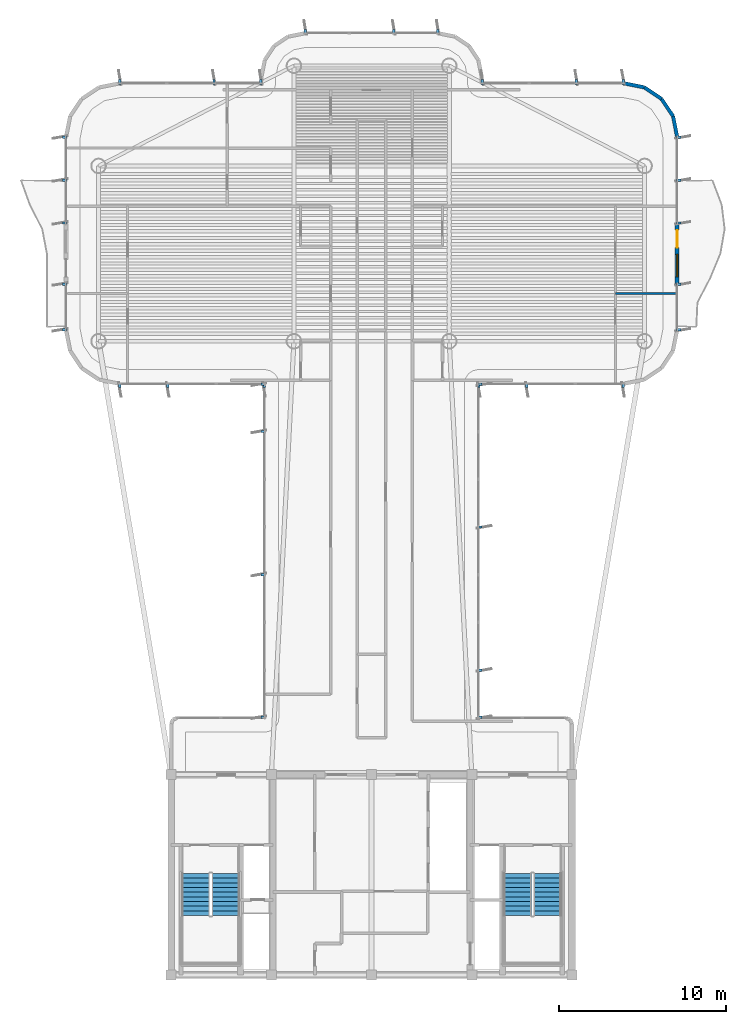
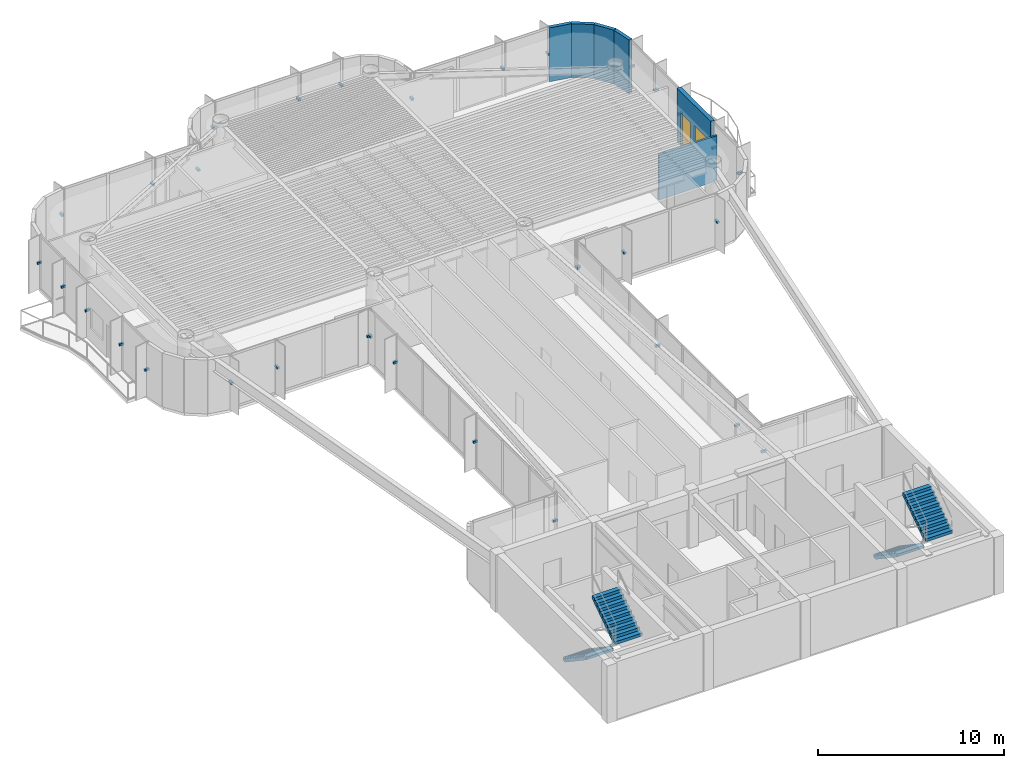
# One storey, part 13 of 15: 33 discrete accessories, 6 walls, 4 stair flights, 1 door, 1 window, 2 openings, 2 elements without a shape of their own.
"""IFC4 building model written with IfcOpenShell, lengths in metres."""

from ifc_helpers import new_model, si_unit, direction, frame, frame_2d, origin, origin_2d, place, context, subcontext, project, spatial, polyline, rectangle, outline, extrude, source, transform, mapped, material, layer, layer_set, type_object, element, fill, aggregate, save


model = new_model("IFC4")

# Units and contexts
model_context = context("Model", 3, precision=1e-05, world=origin(), true_north=direction((0.0, 1.0)))
body_context = subcontext(model_context, "Body", "Model", "MODEL_VIEW")
ifc_project = project(units=[si_unit("LENGTHUNIT", "METRE"), si_unit("AREAUNIT", "SQUARE_METRE"), si_unit("VOLUMEUNIT", "CUBIC_METRE"), si_unit("PLANEANGLEUNIT", "RADIAN"), si_unit("MASSUNIT", "GRAM", prefix="KILO")], contexts=[model_context])

# Site, building, storey
site_placement = place(None, origin())
site = spatial("IfcSite", under=ifc_project, at=site_placement, CompositionType="ELEMENT")
building_placement = place(site_placement, origin())
building = spatial("IfcBuilding", under=site, at=building_placement, Name="Brelvock Crest Care Tower", CompositionType="ELEMENT")
storey_placement = place(building_placement, frame((0.0, 0.0, 275.93994140625)))
storey = spatial("IfcBuildingStorey", under=building, at=storey_placement, Name="L70", CompositionType="ELEMENT", Elevation=275.93994140625)

# Wall, openings, door, window
ifc_material_1 = material(Name="Precast concrete N40 (40 MPa)", Category="concrete")
ifc_layer_1 = layer(ifc_material_1, 0.239990234375, Name="WL-EX1")
ifc_layer_set_1 = layer_set([ifc_layer_1], Name="Precast concrete N40 (40 MPa)")
wall_type_1 = type_object("IfcWallType", Name="WL-EX1", PredefinedType="SOLIDWALL", material=ifc_layer_set_1)
wall_1_placement = place(storey_placement, frame((54.300048828125, 51.0, 0.0), z_axis=(0.0, 0.0, 1.0), x_axis=(0.0, -1.0, 0.0)))
wall_1 = element("IfcWall", 1, at=wall_1_placement, inside=storey, type_object=wall_type_1, Name="L70 Exterior Spandrel Wall WL-BAL-L70-E", PredefinedType="SOLIDWALL", context=body_context, shape_type="SweptSolid", body=[
    extrude(rectangle(XDim=3.60009765625, YDim=0.239990234375, at=frame_2d((1.800048828125, 0.0))), origin(), (0.0, 0.0, 1.0), 3.530029296875),
])
opening_1_placement = place(wall_1_placement, frame((0.39990234375, 0.0, 0.0)))
opening_1 = element("IfcOpeningElement", 2, at=opening_1_placement, cuts=wall_1, Name="Opening BD-1", PredefinedType="OPENING", context=body_context, shape_type="SweptSolid", body=[
    extrude(rectangle(XDim=1.050048828125, YDim=2.14990234375, at=origin_2d()), frame((0.52490234375, 0.1298828125, 1.074951171875), z_axis=(0.0, -1.0, 0.0), x_axis=(1.0, 0.0, 0.0)), (0.0, 0.0, 1.0), 0.260009765625),
])
opening_2_placement = place(wall_1_placement, frame((1.85009765625, 0.0, 0.85009765625)))
opening_2 = element("IfcOpeningElement", 3, at=opening_2_placement, cuts=wall_1, Name="Opening W-01", PredefinedType="OPENING", context=body_context, shape_type="SweptSolid", body=[
    extrude(rectangle(XDim=1.35009765625, YDim=1.35009765625, at=origin_2d()), frame((0.675048828125, 0.1298828125, 0.675048828125), z_axis=(0.0, -1.0, 0.0), x_axis=(1.0, 0.0, 0.0)), (0.0, 0.0, 1.0), 0.260009765625),
])
ifc_material_2 = material(Name="Dark Glass Double Glazed Low-E", Category="glass")
door_type = type_object("IfcDoorType", Name="DR-BAL1", OperationType="NOTDEFINED", PredefinedType="DOOR", material=ifc_material_2)
shared_shape_1 = source(origin(), body_context, "Body", "SweptSolid", [
    extrude(rectangle(XDim=1.050048828125, YDim=2.14990234375, at=origin_2d()), frame((0.52490234375, 0.02490234375, 1.074951171875), z_axis=(0.0, -1.0, 0.0), x_axis=(1.0, 0.0, 0.0)), (0.0, 0.0, 1.0), 0.050048828125),
])
door_placement = place(opening_1_placement, origin())
door = element("IfcDoor", 4, at=door_placement, inside=storey, type_object=door_type, Name="L70 E Wave Balcony Glazed Door", OperationType="SINGLE_SWING_RIGHT", OverallHeight=2.14990234375, OverallWidth=1.050048828125, PredefinedType="DOOR", context=body_context, shape_type="MappedRepresentation", body=[
    mapped(shared_shape_1, transform((0.0, 0.0, 0.0), x_axis=(1.0, 0.0, 0.0), y_axis=(0.0, 1.0, 0.0), z_axis=(0.0, 0.0, 1.0), scale=1.0)),
])
fill(opening_1, door)
window_type = type_object("IfcWindowType", Name="WN-EX1", PartitioningType="SINGLE_PANEL", PredefinedType="WINDOW", material=ifc_material_2)
shared_shape_2 = source(origin(), body_context, "Body", "SweptSolid", [
    extrude(rectangle(XDim=1.35009765625, YDim=1.35009765625, at=origin_2d()), frame((0.675048828125, 0.030029296875, 0.675048828125), z_axis=(0.0, -1.0, 0.0), x_axis=(1.0, 0.0, 0.0)), (0.0, 0.0, 1.0), 0.06005859375),
])
window_placement = place(opening_2_placement, origin())
window = element("IfcWindow", 5, at=window_placement, inside=storey, type_object=window_type, Name="L70 E Suite Casement Window", OverallHeight=1.35009765625, OverallWidth=1.35009765625, PartitioningType="SINGLE_PANEL", PredefinedType="WINDOW", context=body_context, shape_type="MappedRepresentation", body=[
    mapped(shared_shape_2, transform((0.0, 0.0, 0.0), x_axis=(1.0, 0.0, 0.0), y_axis=(0.0, 1.0, 0.0), z_axis=(0.0, 0.0, 1.0), scale=1.0)),
])
fill(opening_2, window)

# Walls
ifc_layer_2 = layer(ifc_material_1, 0.215087890625, Name="WL-EX2")
ifc_layer_set_2 = layer_set([ifc_layer_2], Name="Precast concrete N40 (40 MPa)")
wall_type_2 = type_object("IfcWallType", Name="WL-EX2", PredefinedType="SOLIDWALL", material=ifc_layer_set_2)
for number, where, z_axis, x_axis, name in (
    (6, (51.10009765625, 59.39990234375, 0.0), (0.0, 0.0, 1.0), (0.980813122964, -0.194950295773, 0.0), "L70 Rounded Corner Wall 35"),
    (7, (52.32470703125, 59.156494140625, 0.0), (0.0, 0.0, 1.0), (0.831387912822, -0.555692485475, 0.0), "L70 Rounded Corner Wall 36"),
    (8, (53.36279296875, 58.462646484375, 0.0), (0.0, 0.0, 1.0), (0.555557312883, -0.831478245117, 0.0), "L70 Rounded Corner Wall 37"),
    (9, (54.056396484375, 57.424560546875, 0.0), (0.0, 0.0, 1.0), (0.195138390419, -0.980775717779, 0.0), "L70 Rounded Corner Wall 38"),
):
    element("IfcWall", number, at=place(storey_placement, frame(where, z_axis=z_axis, x_axis=x_axis)), inside=storey, type_object=wall_type_2, Name=name, PredefinedType="SOLIDWALL", context=body_context, shape_type="SweptSolid", body=[
        extrude(rectangle(XDim=1.24853515625, YDim=0.215087890625, at=frame_2d((0.624267578125, 0.0))), origin(), (0.0, 0.0, 1.0), 3.530029296875),
    ])
ifc_material_3 = material(Name="Gypsum Plasterboard Partition", Category="gypsum")
ifc_layer_3 = layer(ifc_material_3, 0.1201171875, Name="WL-INT2")
ifc_layer_set_3 = layer_set([ifc_layer_3], Name="Gypsum Plasterboard Partition")
wall_type_3 = type_object("IfcWallType", Name="WL-INT2", PredefinedType="PARTITIONING", material=ifc_layer_set_3)
wall_2_placement = place(storey_placement, frame((50.610107421875, 46.820068359375, 0.0), z_axis=(0.0, 0.0, 1.0), x_axis=(1.0, 0.0, 0.0)))
element("IfcWall", 10, at=wall_2_placement, inside=storey, type_object=wall_type_3, Name="L70 Interior Wall WL-UBSP-L70-EF1", PredefinedType="PARTITIONING", context=body_context, shape_type="SweptSolid", body=[
    extrude(rectangle(XDim=3.60986328125, YDim=0.1201171875, at=frame_2d((1.804931640625, 0.0))), origin(), (0.0, 0.0, 1.0), 2.982177734375),
])

# Stair, stair flights
ifc_material_4 = material(Name="Concrete N40 (40 MPa)", Category="concrete")
stair_type = type_object("IfcStairType", Name="ST-CORE1", PredefinedType="HALF_TURN_STAIR", material=ifc_material_4)
stair_1_placement = place(storey_placement, origin())
stair_1 = element("IfcStair", 11, at=stair_1_placement, inside=storey, type_object=stair_type, Name="L70 Fire-Isolated Core Stair ST-1", PredefinedType="HALF_TURN_STAIR")
stair_flight_type = type_object("IfcStairFlightType", Name="STF-1", PredefinedType="STRAIGHT", material=ifc_material_4)
stair_flight_1_placement = place(storey_placement, frame((25.469970703125, 12.080078125, 0.0), z_axis=(0.0, 0.0, 1.0), x_axis=(0.0, -1.0, 0.0)))
stair_flight_1 = element("IfcStairFlight", 12, at=stair_flight_1_placement, type_object=stair_flight_type, Name="ST-1 flight 1", NumberOfRisers=10, NumberOfTreads=9, PredefinedType="STRAIGHT", RiserHeight=0.189, TreadLength=0.28, context=body_context, shape_type="SweptSolid", body=[
    extrude(outline(polyline([(-0.00390625, -0.014892578125), (-0.00390625, -0.0078125), (-0.00390625, -0.00048828125), (-0.00390625, 0.0068359375), (-0.00390625, 0.01416015625), (-0.00390625, 0.021484375), (-0.00390625, 0.02880859375), (-0.00390625, 0.035888671875), (-0.00390625, 0.043212890625), (-0.00390625, 0.050537109375), (-0.00390625, 0.057861328125), (-0.00390625, 0.065185546875), (-0.00390625, 0.072509765625), (-0.00390625, 0.07958984375), (-0.00390625, 0.0869140625), (-0.00390625, 0.09423828125), (-0.00390625, 0.1015625), (-0.00390625, 0.10888671875), (-0.00390625, 0.1162109375), (-0.00390625, 0.12353515625), (-0.00390625, 0.130615234375), (-0.00390625, 0.137939453125), (-0.00390625, 0.145263671875), (-0.00390625, 0.152587890625), (-0.00390625, 0.159912109375), (-0.00390625, 0.167236328125), (-0.00390625, 0.17431640625), (-0.00390625, 0.181640625), (-0.00390625, 0.18896484375), (0.0, 0.18896484375), (0.280029296875, 0.18896484375), (0.280029296875, 0.3779296875), (0.56005859375, 0.3779296875), (0.56005859375, 0.56689453125), (0.840087890625, 0.56689453125), (0.840087890625, 0.756103515625), (1.1201171875, 0.756103515625), (1.1201171875, 0.945068359375), (1.39990234375, 0.945068359375), (1.39990234375, 1.134033203125), (1.679931640625, 1.134033203125), (1.679931640625, 1.322998046875), (1.9599609375, 1.322998046875), (1.9599609375, 1.511962890625), (2.239990234375, 1.511962890625), (2.239990234375, 1.700927734375), (2.52001953125, 1.700927734375), (2.52392578125, 1.700927734375), (2.523681640625, 1.70068359375), (2.52392578125, 1.700439453125), (2.523681640625, 1.699951171875), (2.52392578125, 1.69970703125), (2.523681640625, 1.699462890625), (2.52392578125, 1.698974609375), (2.523681640625, 1.69873046875), (2.52392578125, 1.698486328125), (2.523681640625, 1.697998046875), (2.52392578125, 1.69775390625), (2.523681640625, 1.697509765625), (2.52392578125, 1.697021484375), (2.523681640625, 1.69677734375), (2.52392578125, 1.696533203125), (2.523681640625, 1.6962890625), (2.52392578125, 1.69580078125), (2.523681640625, 1.695556640625), (2.52392578125, 1.6953125), (2.523681640625, 1.69482421875), (2.52392578125, 1.694580078125), (2.523681640625, 1.6943359375), (2.52392578125, 1.69384765625), (2.523681640625, 1.693603515625), (2.52392578125, 1.693359375), (2.523681640625, 1.69287109375), (2.52392578125, 1.692626953125), (2.523681640625, 1.6923828125), (2.52392578125, 1.69189453125), (2.52001953125, 1.520263671875), (0.267822265625, 0.0), (0.0, 0.0), (0.0, -0.014892578125), (-0.00390625, -0.014892578125)])), frame((0.0, 0.83984375, 0.0), z_axis=(0.0, -1.0, 0.0), x_axis=(1.0, 0.0, 0.0)), (0.0, 0.0, 1.0), 1.679931640625),
])
stair_flight_2_placement = place(storey_placement, frame((27.27001953125, 9.56005859375, 1.89013671875), z_axis=(0.0, 0.0, 1.0), x_axis=(0.0, 1.0, 0.0)))
stair_flight_2 = element("IfcStairFlight", 13, at=stair_flight_2_placement, type_object=stair_flight_type, Name="ST-1 flight 2", NumberOfRisers=10, NumberOfTreads=9, PredefinedType="STRAIGHT", RiserHeight=0.189, TreadLength=0.28, context=body_context, shape_type="SweptSolid", body=[
    extrude(outline(polyline([(-0.00390625, -0.014892578125), (-0.00390625, -0.0078125), (-0.00390625, -0.00048828125), (-0.00390625, 0.0068359375), (-0.00390625, 0.01416015625), (-0.00390625, 0.021484375), (-0.00390625, 0.02880859375), (-0.00390625, 0.035888671875), (-0.00390625, 0.043212890625), (-0.00390625, 0.050537109375), (-0.00390625, 0.057861328125), (-0.00390625, 0.065185546875), (-0.00390625, 0.072509765625), (-0.00390625, 0.07958984375), (-0.00390625, 0.0869140625), (-0.00390625, 0.09423828125), (-0.00390625, 0.1015625), (-0.00390625, 0.10888671875), (-0.00390625, 0.1162109375), (-0.00390625, 0.12353515625), (-0.00390625, 0.130615234375), (-0.00390625, 0.137939453125), (-0.00390625, 0.145263671875), (-0.00390625, 0.152587890625), (-0.00390625, 0.159912109375), (-0.00390625, 0.167236328125), (-0.00390625, 0.17431640625), (-0.00390625, 0.181640625), (-0.00390625, 0.18896484375), (0.0, 0.18896484375), (0.280029296875, 0.18896484375), (0.280029296875, 0.3779296875), (0.56005859375, 0.3779296875), (0.56005859375, 0.56689453125), (0.840087890625, 0.56689453125), (0.840087890625, 0.756103515625), (1.1201171875, 0.756103515625), (1.1201171875, 0.945068359375), (1.39990234375, 0.945068359375), (1.39990234375, 1.134033203125), (1.679931640625, 1.134033203125), (1.679931640625, 1.322998046875), (1.9599609375, 1.322998046875), (1.9599609375, 1.511962890625), (2.239990234375, 1.511962890625), (2.239990234375, 1.700927734375), (2.52001953125, 1.700927734375), (2.52392578125, 1.700927734375), (2.523681640625, 1.70068359375), (2.52392578125, 1.700439453125), (2.523681640625, 1.699951171875), (2.52392578125, 1.69970703125), (2.523681640625, 1.699462890625), (2.52392578125, 1.698974609375), (2.523681640625, 1.69873046875), (2.52392578125, 1.698486328125), (2.523681640625, 1.697998046875), (2.52392578125, 1.69775390625), (2.523681640625, 1.697509765625), (2.52392578125, 1.697021484375), (2.523681640625, 1.69677734375), (2.52392578125, 1.696533203125), (2.523681640625, 1.6962890625), (2.52392578125, 1.69580078125), (2.523681640625, 1.695556640625), (2.52392578125, 1.6953125), (2.523681640625, 1.69482421875), (2.52392578125, 1.694580078125), (2.523681640625, 1.6943359375), (2.52392578125, 1.69384765625), (2.523681640625, 1.693603515625), (2.52392578125, 1.693359375), (2.523681640625, 1.69287109375), (2.52392578125, 1.692626953125), (2.523681640625, 1.6923828125), (2.52392578125, 1.69189453125), (2.52001953125, 1.520263671875), (0.267822265625, 0.0), (0.0, 0.0), (0.0, -0.014892578125), (-0.00390625, -0.014892578125)])), frame((0.0, 0.83984375, 0.0), z_axis=(0.0, -1.0, 0.0), x_axis=(1.0, 0.0, 0.0)), (0.0, 0.0, 1.0), 1.679931640625),
])
aggregate(stair_1, [stair_flight_1, stair_flight_2])

stair_2_placement = place(storey_placement, origin())
stair_2 = element("IfcStair", 14, at=stair_2_placement, inside=storey, type_object=stair_type, Name="L70 Fire-Isolated Core Stair ST-2", PredefinedType="HALF_TURN_STAIR")
stair_flight_3_placement = place(storey_placement, frame((44.72998046875, 12.080078125, 0.0), z_axis=(0.0, 0.0, 1.0), x_axis=(0.0, -1.0, 0.0)))
stair_flight_3 = element("IfcStairFlight", 15, at=stair_flight_3_placement, type_object=stair_flight_type, Name="ST-2 flight 1", NumberOfRisers=10, NumberOfTreads=9, PredefinedType="STRAIGHT", RiserHeight=0.189, TreadLength=0.28, context=body_context, shape_type="SweptSolid", body=[
    extrude(outline(polyline([(-0.00390625, -0.014892578125), (-0.00390625, -0.0078125), (-0.00390625, -0.00048828125), (-0.00390625, 0.0068359375), (-0.00390625, 0.01416015625), (-0.00390625, 0.021484375), (-0.00390625, 0.02880859375), (-0.00390625, 0.035888671875), (-0.00390625, 0.043212890625), (-0.00390625, 0.050537109375), (-0.00390625, 0.057861328125), (-0.00390625, 0.065185546875), (-0.00390625, 0.072509765625), (-0.00390625, 0.07958984375), (-0.00390625, 0.0869140625), (-0.00390625, 0.09423828125), (-0.00390625, 0.1015625), (-0.00390625, 0.10888671875), (-0.00390625, 0.1162109375), (-0.00390625, 0.12353515625), (-0.00390625, 0.130615234375), (-0.00390625, 0.137939453125), (-0.00390625, 0.145263671875), (-0.00390625, 0.152587890625), (-0.00390625, 0.159912109375), (-0.00390625, 0.167236328125), (-0.00390625, 0.17431640625), (-0.00390625, 0.181640625), (-0.00390625, 0.18896484375), (0.0, 0.18896484375), (0.280029296875, 0.18896484375), (0.280029296875, 0.3779296875), (0.56005859375, 0.3779296875), (0.56005859375, 0.56689453125), (0.840087890625, 0.56689453125), (0.840087890625, 0.756103515625), (1.1201171875, 0.756103515625), (1.1201171875, 0.945068359375), (1.39990234375, 0.945068359375), (1.39990234375, 1.134033203125), (1.679931640625, 1.134033203125), (1.679931640625, 1.322998046875), (1.9599609375, 1.322998046875), (1.9599609375, 1.511962890625), (2.239990234375, 1.511962890625), (2.239990234375, 1.700927734375), (2.52001953125, 1.700927734375), (2.52392578125, 1.700927734375), (2.523681640625, 1.70068359375), (2.52392578125, 1.700439453125), (2.523681640625, 1.699951171875), (2.52392578125, 1.69970703125), (2.523681640625, 1.699462890625), (2.52392578125, 1.698974609375), (2.523681640625, 1.69873046875), (2.52392578125, 1.698486328125), (2.523681640625, 1.697998046875), (2.52392578125, 1.69775390625), (2.523681640625, 1.697509765625), (2.52392578125, 1.697021484375), (2.523681640625, 1.69677734375), (2.52392578125, 1.696533203125), (2.523681640625, 1.6962890625), (2.52392578125, 1.69580078125), (2.523681640625, 1.695556640625), (2.52392578125, 1.6953125), (2.523681640625, 1.69482421875), (2.52392578125, 1.694580078125), (2.523681640625, 1.6943359375), (2.52392578125, 1.69384765625), (2.523681640625, 1.693603515625), (2.52392578125, 1.693359375), (2.523681640625, 1.69287109375), (2.52392578125, 1.692626953125), (2.523681640625, 1.6923828125), (2.52392578125, 1.69189453125), (2.52001953125, 1.520263671875), (0.267822265625, 0.0), (0.0, 0.0), (0.0, -0.014892578125), (-0.00390625, -0.014892578125)])), frame((0.0, 0.83984375, 0.0), z_axis=(0.0, -1.0, 0.0), x_axis=(1.0, 0.0, 0.0)), (0.0, 0.0, 1.0), 1.679931640625),
])
stair_flight_4_placement = place(storey_placement, frame((46.530029296875, 9.56005859375, 1.89013671875), z_axis=(0.0, 0.0, 1.0), x_axis=(0.0, 1.0, 0.0)))
stair_flight_4 = element("IfcStairFlight", 16, at=stair_flight_4_placement, type_object=stair_flight_type, Name="ST-2 flight 2", NumberOfRisers=10, NumberOfTreads=9, PredefinedType="STRAIGHT", RiserHeight=0.189, TreadLength=0.28, context=body_context, shape_type="SweptSolid", body=[
    extrude(outline(polyline([(-0.00390625, -0.014892578125), (-0.00390625, -0.0078125), (-0.00390625, -0.00048828125), (-0.00390625, 0.0068359375), (-0.00390625, 0.01416015625), (-0.00390625, 0.021484375), (-0.00390625, 0.02880859375), (-0.00390625, 0.035888671875), (-0.00390625, 0.043212890625), (-0.00390625, 0.050537109375), (-0.00390625, 0.057861328125), (-0.00390625, 0.065185546875), (-0.00390625, 0.072509765625), (-0.00390625, 0.07958984375), (-0.00390625, 0.0869140625), (-0.00390625, 0.09423828125), (-0.00390625, 0.1015625), (-0.00390625, 0.10888671875), (-0.00390625, 0.1162109375), (-0.00390625, 0.12353515625), (-0.00390625, 0.130615234375), (-0.00390625, 0.137939453125), (-0.00390625, 0.145263671875), (-0.00390625, 0.152587890625), (-0.00390625, 0.159912109375), (-0.00390625, 0.167236328125), (-0.00390625, 0.17431640625), (-0.00390625, 0.181640625), (-0.00390625, 0.18896484375), (0.0, 0.18896484375), (0.280029296875, 0.18896484375), (0.280029296875, 0.3779296875), (0.56005859375, 0.3779296875), (0.56005859375, 0.56689453125), (0.840087890625, 0.56689453125), (0.840087890625, 0.756103515625), (1.1201171875, 0.756103515625), (1.1201171875, 0.945068359375), (1.39990234375, 0.945068359375), (1.39990234375, 1.134033203125), (1.679931640625, 1.134033203125), (1.679931640625, 1.322998046875), (1.9599609375, 1.322998046875), (1.9599609375, 1.511962890625), (2.239990234375, 1.511962890625), (2.239990234375, 1.700927734375), (2.52001953125, 1.700927734375), (2.52392578125, 1.700927734375), (2.523681640625, 1.70068359375), (2.52392578125, 1.700439453125), (2.523681640625, 1.699951171875), (2.52392578125, 1.69970703125), (2.523681640625, 1.699462890625), (2.52392578125, 1.698974609375), (2.523681640625, 1.69873046875), (2.52392578125, 1.698486328125), (2.523681640625, 1.697998046875), (2.52392578125, 1.69775390625), (2.523681640625, 1.697509765625), (2.52392578125, 1.697021484375), (2.523681640625, 1.69677734375), (2.52392578125, 1.696533203125), (2.523681640625, 1.6962890625), (2.52392578125, 1.69580078125), (2.523681640625, 1.695556640625), (2.52392578125, 1.6953125), (2.523681640625, 1.69482421875), (2.52392578125, 1.694580078125), (2.523681640625, 1.6943359375), (2.52392578125, 1.69384765625), (2.523681640625, 1.693603515625), (2.52392578125, 1.693359375), (2.523681640625, 1.69287109375), (2.52392578125, 1.692626953125), (2.523681640625, 1.6923828125), (2.52392578125, 1.69189453125), (2.52001953125, 1.520263671875), (0.267822265625, 0.0), (0.0, 0.0), (0.0, -0.014892578125), (-0.00390625, -0.014892578125)])), frame((0.0, 0.83984375, 0.0), z_axis=(0.0, -1.0, 0.0), x_axis=(1.0, 0.0, 0.0)), (0.0, 0.0, 1.0), 1.679931640625),
])
aggregate(stair_2, [stair_flight_3, stair_flight_4])

# Discrete accessories
ifc_material_5 = material(Name="Steel Grade 350", Category="steel")
discrete_accessory_type = type_object("IfcDiscreteAccessoryType", Name="ACC-BRK1", PredefinedType="BRACKET", material=ifc_material_5)
shared_shape_3 = source(origin(), body_context, "Body", "SweptSolid", [
    extrude(rectangle(XDim=0.280029296875, YDim=0.139892578125, at=origin_2d()), origin(), (0.0, 0.0, 1.0), 0.139892578125),
])
for number, where, z_axis, x_axis, name in (
    (17, (29.52001953125, 21.429931640625, 1.6953125), (0.0, 0.0, 1.0), (-1.0, 0.0, 0.0), "L70 Facade Fin Bracket E11-01"),
    (18, (29.52001953125, 29.971435546875, 1.6953125), (0.0, 0.0, 1.0), (-1.0, 0.0, 0.0), "L70 Facade Fin Bracket E11-04"),
    (19, (29.52001953125, 38.54296875, 1.6953125), (0.0, 0.0, 1.0), (-1.0, 0.0, 0.0), "L70 Facade Fin Bracket E11-07"),
    (20, (29.52001953125, 41.3701171875, 1.6953125), (0.0, 0.0, 1.0), (-1.0, 0.0, 0.0), "L70 Facade Fin Bracket E11-08"),
    (21, (29.570068359375, 41.320068359375, 1.6953125), (0.0, 0.0, 1.0), (0.0, -1.0, 0.0), "L70 Facade Fin Bracket E12-01"),
    (22, (23.800048828125, 41.320068359375, 1.6953125), (0.0, 0.0, 1.0), (0.0, -1.0, 0.0), "L70 Facade Fin Bracket E12-03"),
    (23, (20.929931640625, 41.320068359375, 1.6953125), (0.0, 0.0, 1.0), (0.0, -1.0, 0.0), "L70 Facade Fin Bracket E12-04"),
    (24, (17.6201171875, 44.6298828125, 1.6953125), (0.0, 0.0, 1.0), (-1.0, 0.0, 0.0), "L70 Facade Fin Bracket E17A-01"),
    (25, (17.6201171875, 47.3701171875, 1.6953125), (0.0, 0.0, 1.0), (-1.0, 0.0, 0.0), "L70 Facade Fin Bracket E17A-02"),
    (26, (17.6201171875, 51.030029296875, 1.6953125), (0.0, 0.0, 1.0), (-1.0, 0.0, 0.0), "L70 Facade Fin Bracket E17B-01"),
    (27, (17.6201171875, 53.60009765625, 1.6953125), (0.0, 0.0, 1.0), (-1.0, 0.0, 0.0), "L70 Facade Fin Bracket E17B-02"),
    (28, (17.6201171875, 56.169921875, 1.6953125), (0.0, 0.0, 1.0), (-1.0, 0.0, 0.0), "L70 Facade Fin Bracket E17B-03"),
    (29, (20.929931640625, 59.47998046875, 1.6953125), (0.0, 0.0, 1.0), (0.0, 1.0, 0.0), "L70 Facade Fin Bracket E22-01"),
    (30, (26.566650390625, 59.47998046875, 1.6953125), (0.0, 0.0, 1.0), (0.0, 1.0, 0.0), "L70 Facade Fin Bracket E22-03"),
    (31, (29.3701171875, 59.47998046875, 1.6953125), (0.0, 0.0, 1.0), (0.0, 1.0, 0.0), "L70 Facade Fin Bracket E22-04"),
    (32, (32.030029296875, 62.47998046875, 1.6953125), (0.0, 0.0, 1.0), (0.0, 1.0, 0.0), "L70 Facade Fin Bracket E28-01"),
    (33, (37.333251953125, 62.47998046875, 1.6953125), (0.0, 0.0, 1.0), (0.0, 1.0, 0.0), "L70 Facade Fin Bracket E28-03"),
    (34, (39.969970703125, 62.47998046875, 1.6953125), (0.0, 0.0, 1.0), (0.0, 1.0, 0.0), "L70 Facade Fin Bracket E28-04"),
    (35, (42.6298828125, 59.47998046875, 1.6953125), (0.0, 0.0, 1.0), (0.0, 1.0, 0.0), "L70 Facade Fin Bracket E34-01"),
    (36, (48.2666015625, 59.47998046875, 1.6953125), (0.0, 0.0, 1.0), (0.0, 1.0, 0.0), "L70 Facade Fin Bracket E34-03"),
    (37, (51.070068359375, 59.47998046875, 1.6953125), (0.0, 0.0, 1.0), (0.0, 1.0, 0.0), "L70 Facade Fin Bracket E34-04"),
    (38, (54.3798828125, 56.169921875, 1.6953125), (0.0, 0.0, 1.0), (1.0, 0.0, 0.0), "L70 Facade Fin Bracket E39A-01"),
    (39, (54.3798828125, 53.60009765625, 1.6953125), (0.0, 0.0, 1.0), (1.0, 0.0, 0.0), "L70 Facade Fin Bracket E39A-02"),
    (40, (54.3798828125, 51.030029296875, 1.6953125), (0.0, 0.0, 1.0), (1.0, 0.0, 0.0), "L70 Facade Fin Bracket E39A-03"),
    (41, (54.3798828125, 47.3701171875, 1.6953125), (0.0, 0.0, 1.0), (1.0, 0.0, 0.0), "L70 Facade Fin Bracket E39B-01"),
    (42, (54.3798828125, 44.6298828125, 1.6953125), (0.0, 0.0, 1.0), (1.0, 0.0, 0.0), "L70 Facade Fin Bracket E39B-02"),
    (43, (51.070068359375, 41.320068359375, 1.6953125), (0.0, 0.0, 1.0), (0.0, -1.0, 0.0), "L70 Facade Fin Bracket E44-01"),
    (44, (45.300048828125, 41.320068359375, 1.6953125), (0.0, 0.0, 1.0), (0.0, -1.0, 0.0), "L70 Facade Fin Bracket E44-03"),
    (45, (42.429931640625, 41.320068359375, 1.6953125), (0.0, 0.0, 1.0), (0.0, -1.0, 0.0), "L70 Facade Fin Bracket E44-04"),
    (46, (42.47998046875, 41.3701171875, 1.6953125), (0.0, 0.0, 1.0), (1.0, 0.0, 0.0), "L70 Facade Fin Bracket E45-01"),
    (47, (42.47998046875, 32.82861328125, 1.6953125), (0.0, 0.0, 1.0), (1.0, 0.0, 0.0), "L70 Facade Fin Bracket E45-04"),
    (48, (42.47998046875, 24.257080078125, 1.6953125), (0.0, 0.0, 1.0), (1.0, 0.0, 0.0), "L70 Facade Fin Bracket E45-07"),
    (49, (42.47998046875, 21.429931640625, 1.6953125), (0.0, 0.0, 1.0), (1.0, 0.0, 0.0), "L70 Facade Fin Bracket E45-08"),
):
    element("IfcDiscreteAccessory", number, at=place(storey_placement, frame(where, z_axis=z_axis, x_axis=x_axis)), inside=storey, type_object=discrete_accessory_type, Name=name, PredefinedType="BRACKET", context=body_context, shape_type="MappedRepresentation", body=[
        mapped(shared_shape_3, transform((0.0, 0.0, 0.0), x_axis=(1.0, 0.0, 0.0), y_axis=(0.0, 1.0, 0.0), z_axis=(0.0, 0.0, 1.0), scale=1.0)),
    ])

save(model, "model.ifc")
